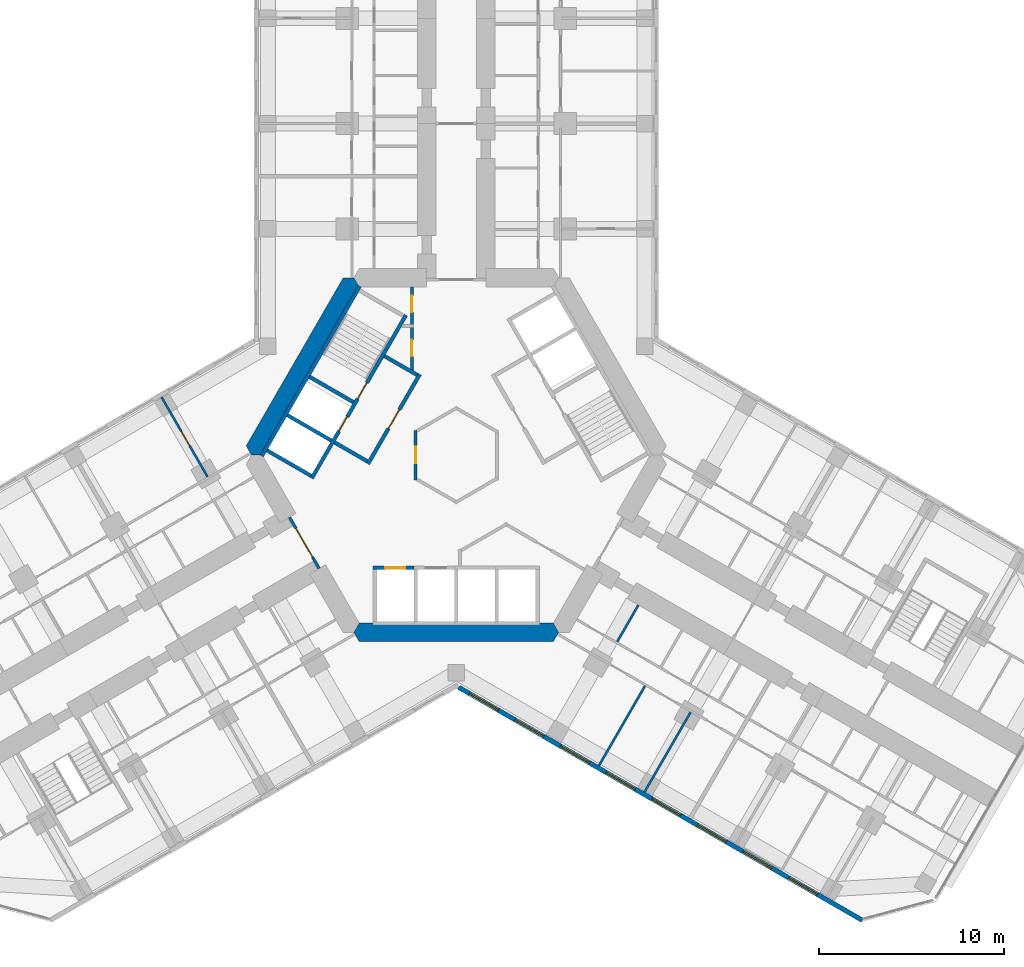
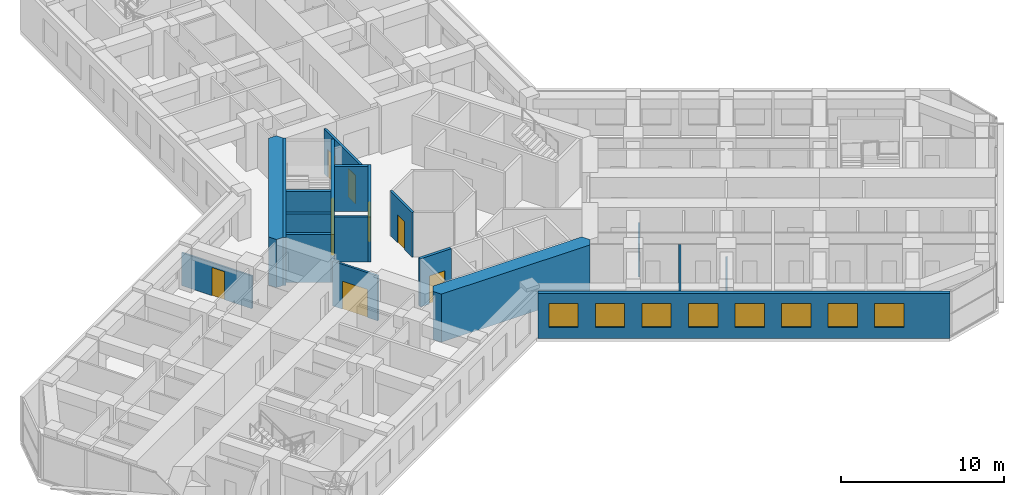
# One storey, part 13 of 21: 19 walls, 9 doors, 8 windows, 17 openings.
"""IFC4 building model written with IfcOpenShell, lengths in metres."""

import ifcopenshell
import ifcopenshell.guid

model = None  # the IFC model being written
_history = None  # IfcOwnerHistory: only IFC2X3 demands one
_inside = {}  # id of a spatial element -> (the spatial element, [elements in it])
_under = {}  # id of a project, library or spatial element -> (it, [spatial elements below it])
_declared = {}  # id of a project -> (the project, [libraries it declares])
_typed = {}  # id of a type object -> (the type object, [elements of that type])
_made_of = {}  # id of a material, layer set ... -> (it, [elements and type objects made of it])


def new_model(schema):
    """Start an empty IFC model of exactly this schema.

    Asked for "IFC4X3", IfcOpenShell would pick the latest addendum, in which some entities
    have other attributes; the version numbers below select the first issue.
    IFC2X3 requires an IfcOwnerHistory on every rooted entity: one is made here for all.
    """
    global model, _history
    if schema == "IFC4X3":
        model = ifcopenshell.file(schema_version=(4, 3, 0, 0))
    else:
        model = ifcopenshell.file(schema=schema)
    _inside.clear()
    _under.clear()
    _declared.clear()
    _typed.clear()
    _made_of.clear()
    _history = None
    if model.schema == "IFC2X3":
        org = make("IfcOrganization", Name="unknown")
        user = make(
            "IfcPersonAndOrganization",
            ThePerson=make("IfcPerson", FamilyName="unknown"),
            TheOrganization=org,
        )
        app = make(
            "IfcApplication",
            ApplicationDeveloper=org,
            Version="unknown",
            ApplicationFullName="unknown",
            ApplicationIdentifier="unknown",
        )
        _history = make(
            "IfcOwnerHistory",
            OwningUser=user,
            OwningApplication=app,
            ChangeAction="ADDED",
            CreationDate=0,
        )
    return model


def make(cls, **values):
    """One entity of the class cls with the attributes given. An attribute that is None is left unset."""
    return model.create_entity(
        cls, **{name: value for name, value in values.items() if value is not None}
    )


def rooted(cls, **values):
    """An entity with a GlobalId (a new one), such as an element, a storey or a relation."""
    return make(cls, GlobalId=ifcopenshell.guid.new(), OwnerHistory=_history, **values)


def si_unit(unit_type, name, prefix=None):
    """IfcSIUnit, for example si_unit("LENGTHUNIT", "METRE", prefix="MILLI")."""
    return make("IfcSIUnit", UnitType=unit_type, Prefix=prefix, Name=name)


def assignment(units):
    """IfcUnitAssignment: the units of a project."""
    return None if units is None else make("IfcUnitAssignment", Units=units)


def point(xyz):
    """IfcCartesianPoint."""
    return None if xyz is None else make("IfcCartesianPoint", Coordinates=xyz)


def direction(xyz):
    """IfcDirection."""
    return None if xyz is None else make("IfcDirection", DirectionRatios=xyz)


def frame(location, z_axis=None, x_axis=None):
    """IfcAxis2Placement3D, a coordinate frame: its origin and axes. An axis left out is left unset."""
    return make(
        "IfcAxis2Placement3D",
        Location=point(location),
        Axis=direction(z_axis),
        RefDirection=direction(x_axis),
    )


def frame_2d(location, x_axis=None):
    """IfcAxis2Placement2D, a coordinate frame in the plane: its origin and x axis."""
    return make(
        "IfcAxis2Placement2D", Location=point(location), RefDirection=direction(x_axis)
    )


def origin():
    """The frame at (0, 0, 0) with its axes left unset."""
    return frame((0.0, 0.0, 0.0))


def place(relative_to, where):
    """IfcLocalPlacement: puts the frame where relative to a parent placement (None: the world)."""
    return make(
        "IfcLocalPlacement", PlacementRelTo=relative_to, RelativePlacement=where
    )


def context(
    kind, dimensions, precision=None, world=None, true_north=None, identifier=None
):
    """IfcGeometricRepresentationContext, for example the 3D "Model" context."""
    return make(
        "IfcGeometricRepresentationContext",
        ContextIdentifier=identifier,
        ContextType=kind,
        CoordinateSpaceDimension=dimensions,
        Precision=precision,
        WorldCoordinateSystem=world,
        TrueNorth=true_north,
    )


def subcontext(parent, identifier, kind, view, scale=None):
    """IfcGeometricRepresentationSubContext, for example "Body" below "Model"."""
    return make(
        "IfcGeometricRepresentationSubContext",
        ContextIdentifier=identifier,
        ContextType=kind,
        ParentContext=parent,
        TargetScale=scale,
        TargetView=view,
    )


def project(units=None, contexts=None):
    """IfcProject with its units and contexts."""
    return rooted(
        "IfcProject",
        Name="project",
        RepresentationContexts=contexts,
        UnitsInContext=assignment(units),
    )


def spatial(cls, under=None, at=None, **own):
    """A site, building, storey or space (cls), placed at a placement, below another one or the project."""
    s = rooted(cls, ObjectPlacement=at, **own)
    if under is not None:
        _under.setdefault(under.id(), (under, []))[1].append(s)
    return s


def polyline(points):
    """IfcPolyline through the points."""
    return make("IfcPolyline", Points=[point(p) for p in points])


def profile(cls, at=None, kind="AREA", **sizes):
    """A parametric profile (cls). Its sizes go by their IFC names, for example OverallWidth=200.0."""
    return make(cls, ProfileType=kind, Position=at, **sizes)


def rectangle(**sizes):
    """IfcRectangleProfileDef."""
    return profile("IfcRectangleProfileDef", **sizes)


def outline(outer, holes=None, kind="AREA"):
    """IfcArbitraryClosedProfileDef: a profile drawn as a closed curve; with holes, ...WithVoids."""
    if holes is None:
        return make("IfcArbitraryClosedProfileDef", ProfileType=kind, OuterCurve=outer)
    return make(
        "IfcArbitraryProfileDefWithVoids",
        ProfileType=kind,
        OuterCurve=outer,
        InnerCurves=holes,
    )


def extrude(swept, where, along, depth):
    """IfcExtrudedAreaSolid: the profile swept, set in the frame where, extruded along a direction by depth."""
    return make(
        "IfcExtrudedAreaSolid",
        SweptArea=swept,
        Position=where,
        ExtrudedDirection=direction(along),
        Depth=depth,
    )


def shape(context_of_items, identifier, shape_type, items):
    """IfcShapeRepresentation: the items that make up one representation, for example the "Body"."""
    return make(
        "IfcShapeRepresentation",
        ContextOfItems=context_of_items,
        RepresentationIdentifier=identifier,
        RepresentationType=shape_type,
        Items=items,
    )


def material(Name=None, Category=None):
    """IfcMaterial."""
    return make("IfcMaterial", Name=Name, Category=Category)


def layer(
    of_material, thickness, ventilated=None, Name=None, Category=None, Priority=None
):
    """IfcMaterialLayer: one layer of a wall or slab, of a material (None: an air gap)."""
    return make(
        "IfcMaterialLayer",
        Material=of_material,
        LayerThickness=thickness,
        IsVentilated=ventilated,
        Name=Name,
        Category=Category,
        Priority=Priority,
    )


def layer_set(layers, Name=None):
    """IfcMaterialLayerSet."""
    return make("IfcMaterialLayerSet", MaterialLayers=layers, LayerSetName=Name)


def made_of(thing, what):
    """Note that an element or type object is made of a material, layer set ...; save() writes the relation."""
    if what is not None:
        _made_of.setdefault(what.id(), (what, []))[1].append(thing)
    return thing


def type_object(cls, material=None, **own):
    """A type object (cls), such as IfcWallType, which elements share."""
    return made_of(rooted(cls, **own), material)


def element(
    cls,
    number,
    at=None,
    inside=None,
    cuts=None,
    type_object=None,
    material=None,
    context=None,
    identifier="Body",
    shape_type=None,
    held_by="IfcProductDefinitionShape",
    body=None,
    shapes=None,
    **own,
):
    """One element of the class cls, such as IfcWall. Its Tag is "e" and its number.

    at: its placement. inside: the storey or other place that contains it. cuts: it is an
    opening in that element (IfcRelVoidsElement). A single representation is given by context,
    identifier, shape_type and body (its items); several are given by shapes. held_by: the class
    of the entity that holds the representations. save() writes the other relations.
    """
    e = rooted(cls, Tag="e%d" % number, ObjectPlacement=at, **own)
    if body is not None:
        shapes = [shape(context, identifier, shape_type, body)]
    if shapes is not None:
        e.Representation = make(held_by, Representations=shapes)
    if inside is not None:
        _inside.setdefault(inside.id(), (inside, []))[1].append(e)
    if cuts is not None:
        rooted(
            "IfcRelVoidsElement", RelatingBuildingElement=cuts, RelatedOpeningElement=e
        )
    if type_object is not None:
        _typed.setdefault(type_object.id(), (type_object, []))[1].append(e)
    return made_of(e, material)


def fill(opening, filler):
    """IfcRelFillsElement: the door or window that sits in an opening."""
    return rooted(
        "IfcRelFillsElement",
        RelatingOpeningElement=opening,
        RelatedBuildingElement=filler,
    )


def aggregate(whole, parts):
    """IfcRelAggregates: a whole, such as a stair, and the parts it consists of."""
    return rooted("IfcRelAggregates", RelatingObject=whole, RelatedObjects=parts)


def save(model, path):
    """Write the relations noted so far, then the file.

    IfcRelAggregates (storeys below a building ...), IfcRelContainedInSpatialStructure (elements
    in a storey), IfcRelDefinesByType, IfcRelAssociatesMaterial and IfcRelDeclares: one each for
    every whole, place, type object, material and project.
    """
    for whole, parts in _under.values():
        aggregate(whole, parts)
    for where, things in _inside.values():
        rooted(
            "IfcRelContainedInSpatialStructure",
            RelatedElements=things,
            RelatingStructure=where,
        )
    for kind, things in _typed.values():
        rooted("IfcRelDefinesByType", RelatedObjects=things, RelatingType=kind)
    for what, things in _made_of.values():
        rooted("IfcRelAssociatesMaterial", RelatedObjects=things, RelatingMaterial=what)
    for by, libraries in _declared.values():
        rooted("IfcRelDeclares", RelatingContext=by, RelatedDefinitions=libraries)
    model.write(path)


model = new_model("IFC4")

# Units and contexts
model_context = context("Model", 3, precision=1e-05, world=origin(), true_north=direction((0.0, 1.0)))
body_context = subcontext(model_context, "Body", "Model", "MODEL_VIEW")
ifc_project = project(units=[si_unit("LENGTHUNIT", "METRE"), si_unit("AREAUNIT", "SQUARE_METRE"), si_unit("VOLUMEUNIT", "CUBIC_METRE"), si_unit("PLANEANGLEUNIT", "RADIAN"), si_unit("MASSUNIT", "GRAM", prefix="KILO")], contexts=[model_context])

# Site, building, storey
site_placement = place(None, origin())
site = spatial("IfcSite", under=ifc_project, at=site_placement, CompositionType="ELEMENT")
building_placement = place(site_placement, origin())
building = spatial("IfcBuilding", under=site, at=building_placement, Name="Kosmar Iwan School Tower", CompositionType="ELEMENT")
storey_placement = place(building_placement, frame((0.0, 0.0, 98.800048828125)))
storey = spatial("IfcBuildingStorey", under=building, at=storey_placement, Name="L24", CompositionType="ELEMENT", Elevation=98.800048828125)

# Wall, openings, doors
ifc_material_1 = material(Name="Gypsum board on steel studs, fire-rated", Category="steel")
ifc_layer_1 = layer(ifc_material_1, 0.14990234375)
ifc_layer_set_1 = layer_set([ifc_layer_1], Name="Core room partition 150")
wall_type_1 = type_object("IfcWallType", Name="Core room partition 150", PredefinedType="PARTITIONING", material=ifc_layer_set_1)
wall_1_placement = place(storey_placement, frame((-2.39990234375, 9.094970703125, 0.0), z_axis=(0.0, 0.0, 1.0), x_axis=(0.0, -1.0, 0.0)))
wall_1 = element("IfcWall", 1, at=wall_1_placement, inside=storey, type_object=wall_type_1, Name="Core room partition L24-CW1", PredefinedType="PARTITIONING", context=body_context, shape_type="SweptSolid", body=[
    extrude(rectangle(XDim=4.564208984375, YDim=0.14990234375, at=frame_2d((2.2822265625, 0.0))), origin(), (0.0, 0.0, 1.0), 3.349853515625),
])
opening_1_placement = place(wall_1_placement, frame((0.455078125, 0.0, 0.0)))
opening_1 = element("IfcOpeningElement", 2, at=opening_1_placement, cuts=wall_1, Name="Opening D14", PredefinedType="OPENING", context=body_context, shape_type="SweptSolid", body=[
    extrude(rectangle(XDim=0.89990234375, YDim=2.10009765625, at=frame_2d((0.449951171875, 1.050048828125))), frame((0.0, 0.0869140625, 0.0), z_axis=(0.0, -1.0, 0.0), x_axis=(1.0, 0.0, 0.0)), (0.0, 0.0, 1.0), 0.173828125),
])
opening_2_placement = place(wall_1_placement, frame((2.85498046875, 0.0, 0.0)))
opening_2 = element("IfcOpeningElement", 3, at=opening_2_placement, cuts=wall_1, Name="Opening D14", PredefinedType="OPENING", context=body_context, shape_type="SweptSolid", body=[
    extrude(rectangle(XDim=0.89990234375, YDim=2.10009765625, at=frame_2d((0.449951171875, 1.050048828125))), frame((0.0, 0.0869140625, 0.0), z_axis=(0.0, -1.0, 0.0), x_axis=(1.0, 0.0, 0.0)), (0.0, 0.0, 1.0), 0.173828125),
])
ifc_material_2 = material(Name="Timber fire door in steel frame", Category="steel")
door_type_1 = type_object("IfcDoorType", Name="Core room door 900x2100", OperationType="SINGLE_SWING_LEFT", PredefinedType="DOOR", material=ifc_material_2)
door_1_placement = place(opening_1_placement, origin())
door_1 = element("IfcDoor", 4, at=door_1_placement, inside=storey, type_object=door_type_1, Name="Electrical riser and switch room door L24 1", OperationType="SINGLE_SWING_LEFT", OverallHeight=2.10009765625, OverallWidth=0.89990234375, PredefinedType="DOOR", context=body_context, shape_type="SweptSolid", body=[
    extrude(rectangle(XDim=0.89990234375, YDim=2.10009765625, at=frame_2d((0.449951171875, 1.050048828125))), frame((0.0, 0.02490234375, 0.0), z_axis=(0.0, -1.0, 0.0), x_axis=(1.0, 0.0, 0.0)), (0.0, 0.0, 1.0), 0.050048828125),
])
fill(opening_1, door_1)
door_2_placement = place(opening_2_placement, origin())
door_2 = element("IfcDoor", 5, at=door_2_placement, inside=storey, type_object=door_type_1, Name="Plumbing and wet riser door L24 2", OperationType="SINGLE_SWING_RIGHT", OverallHeight=2.10009765625, OverallWidth=0.89990234375, PredefinedType="DOOR", context=body_context, shape_type="SweptSolid", body=[
    extrude(rectangle(XDim=0.89990234375, YDim=2.10009765625, at=frame_2d((0.449951171875, 1.050048828125))), frame((0.0, 0.02490234375, 0.0), z_axis=(0.0, -1.0, 0.0), x_axis=(1.0, 0.0, 0.0)), (0.0, 0.0, 1.0), 0.050048828125),
])
fill(opening_2, door_2)

# Wall, opening, door
wall_2_placement = place(storey_placement, frame((-2.199951171875, -1.34521484375, 0.0), z_axis=(0.0, 0.0, 1.0), x_axis=(0.0, 1.0, 0.0)))
wall_2 = element("IfcWall", 6, at=wall_2_placement, inside=storey, type_object=wall_type_1, Name="Core room partition L24-CW6", PredefinedType="PARTITIONING", context=body_context, shape_type="SweptSolid", body=[
    extrude(rectangle(XDim=2.6904296875, YDim=0.14990234375, at=frame_2d((1.34521484375, 0.0))), origin(), (0.0, 0.0, 1.0), 3.349853515625),
])
opening_3_placement = place(wall_2_placement, frame((0.89501953125, 0.0, 0.0)))
opening_3 = element("IfcOpeningElement", 7, at=opening_3_placement, cuts=wall_2, Name="Opening D14", PredefinedType="OPENING", context=body_context, shape_type="SweptSolid", body=[
    extrude(rectangle(XDim=0.89990234375, YDim=2.10009765625, at=frame_2d((0.449951171875, 1.050048828125))), frame((0.0, 0.0869140625, 0.0), z_axis=(0.0, -1.0, 0.0), x_axis=(1.0, 0.0, 0.0)), (0.0, 0.0, 1.0), 0.173828125),
])
door_3_placement = place(opening_3_placement, origin())
door_3 = element("IfcDoor", 8, at=door_3_placement, inside=storey, type_object=door_type_1, Name="Communications room door L24 3", OperationType="SINGLE_SWING_LEFT", OverallHeight=2.10009765625, OverallWidth=0.89990234375, PredefinedType="DOOR", context=body_context, shape_type="SweptSolid", body=[
    extrude(rectangle(XDim=0.89990234375, YDim=2.10009765625, at=frame_2d((0.449951171875, 1.050048828125))), frame((0.0, 0.02490234375, 0.0), z_axis=(0.0, -1.0, 0.0), x_axis=(1.0, 0.0, 0.0)), (0.0, 0.0, 1.0), 0.050048828125),
])
fill(opening_3, door_3)

# Walls
ifc_material_3 = material(Name="Concrete C50/60", Category="concrete")
ifc_layer_2 = layer(ifc_material_3, 1.0)
ifc_layer_set_2 = layer_set([ifc_layer_2], Name="Core wall 1000")
wall_type_2 = type_object("IfcWallType", Name="Core wall 1000", PredefinedType="SHEAR", material=ifc_layer_set_2)
wall_3_placement = place(storey_placement, origin())
element("IfcWall", 9, at=wall_3_placement, inside=storey, type_object=wall_type_2, Name="Core wall F150", PredefinedType="SHEAR", context=body_context, shape_type="SweptSolid", body=[
    extrude(outline(polyline([(-11.085205078125, 0.0), (-10.5078125, 0.0), (-5.25390625, 9.10009765625), (-5.54248046875, 9.60009765625), (-6.119873046875, 9.60009765625), (-11.373779296875, 0.5), (-11.085205078125, 0.0)])), origin(), (0.0, 0.0, 1.0), 3.599853515625),
])
wall_4_placement = place(storey_placement, origin())
element("IfcWall", 10, at=wall_4_placement, inside=storey, type_object=wall_type_2, Name="Core wall F270", PredefinedType="SHEAR", context=body_context, shape_type="SweptSolid", body=[
    extrude(outline(polyline([(-5.25390625, -10.10009765625), (5.25390625, -10.10009765625), (5.54248046875, -9.60009765625), (5.25390625, -9.10009765625), (-5.25390625, -9.10009765625), (-5.54248046875, -9.60009765625), (-5.25390625, -10.10009765625)])), origin(), (0.0, 0.0, 1.0), 3.599853515625),
])

# Wall, opening, door
ifc_material_4 = material(Name="Steel framed glazed screen", Category="steel")
ifc_layer_3 = layer(ifc_material_4, 0.14990234375)
ifc_layer_set_3 = layer_set([ifc_layer_3], Name="Corridor screen wall 150")
wall_type_3 = type_object("IfcWallType", Name="Corridor screen wall 150", PredefinedType="PARTITIONING", material=ifc_layer_set_3)
wall_5_placement = place(storey_placement, frame((-9.02734375, -3.3642578125, 0.0), z_axis=(0.0, 0.0, 1.0), x_axis=(0.499995408039, -0.866028054938, 0.0)))
wall_5 = element("IfcWall", 11, at=wall_5_placement, inside=storey, type_object=wall_type_3, Name="Corridor screen B L24", PredefinedType="PARTITIONING", context=body_context, shape_type="SweptSolid", body=[
    extrude(rectangle(XDim=3.2001953125, YDim=0.14990234375, at=frame_2d((1.60009765625, 0.0))), origin(), (0.0, 0.0, 1.0), 3.349853515625),
])
opening_4_placement = place(wall_5_placement, frame((0.699951171875, 0.0, 0.0)))
opening_4 = element("IfcOpeningElement", 12, at=opening_4_placement, cuts=wall_5, Name="Opening D9", PredefinedType="OPENING", context=body_context, shape_type="SweptSolid", body=[
    extrude(rectangle(XDim=1.800048828125, YDim=2.10009765625, at=frame_2d((0.89990234375, 1.050048828125))), frame((0.0, 0.0869140625, 0.0), z_axis=(0.0, -1.0, 0.0), x_axis=(1.0, 0.0, 0.0)), (0.0, 0.0, 1.0), 0.173828125),
])
ifc_material_5 = material(Name="Steel framed glazed smoke door", Category="steel")
door_type_2 = type_object("IfcDoorType", Name="Corridor smoke door pair 1800x2100", OperationType="DOUBLE_DOOR_DOUBLE_SWING", PredefinedType="DOOR", material=ifc_material_5)
door_4_placement = place(opening_4_placement, origin())
door_4 = element("IfcDoor", 13, at=door_4_placement, inside=storey, type_object=door_type_2, Name="Corridor doors B L24", OperationType="DOUBLE_DOOR_DOUBLE_SWING", OverallHeight=2.10009765625, OverallWidth=1.800048828125, PredefinedType="DOOR", context=body_context, shape_type="SweptSolid", body=[
    extrude(rectangle(XDim=1.800048828125, YDim=2.10009765625, at=frame_2d((0.89990234375, 1.050048828125))), frame((0.0, 0.02490234375, 0.0), z_axis=(0.0, -1.0, 0.0), x_axis=(1.0, 0.0, 0.0)), (0.0, 0.0, 1.0), 0.050048828125),
])
fill(opening_4, door_4)

ifc_material_6 = material(Name="Gypsum board on steel studs", Category="steel")
ifc_layer_4 = layer(ifc_material_6, 0.1201171875)
ifc_layer_set_4 = layer_set([ifc_layer_4], Name="Dwelling partition 120")
wall_type_4 = type_object("IfcWallType", Name="Dwelling partition 120", PredefinedType="PARTITIONING", material=ifc_layer_set_4)
wall_6_placement = place(storey_placement, frame((-13.4638671875, -1.179931640625, 0.0), z_axis=(0.0, 0.0, 1.0), x_axis=(-0.499975153383, 0.86603974851, 0.0)))
wall_6 = element("IfcWall", 14, at=wall_6_placement, inside=storey, type_object=wall_type_4, Name="Partition L24-BR1-X1", PredefinedType="PARTITIONING", context=body_context, shape_type="SweptSolid", body=[
    extrude(rectangle(XDim=4.989990234375, YDim=0.1201171875, at=frame_2d((2.4951171875, 0.0))), origin(), (0.0, 0.0, 1.0), 2.449951171875),
])
opening_5_placement = place(wall_6_placement, frame((1.93994140625, 0.0, 0.0)))
opening_5 = element("IfcOpeningElement", 15, at=opening_5_placement, cuts=wall_6, Name="Opening D2", PredefinedType="OPENING", context=body_context, shape_type="SweptSolid", body=[
    extrude(rectangle(XDim=0.89990234375, YDim=2.10009765625, at=frame_2d((0.449951171875, 1.050048828125))), frame((0.0, 0.072021484375, 0.0), z_axis=(0.0, -1.0, 0.0), x_axis=(1.0, 0.0, 0.0)), (0.0, 0.0, 1.0), 0.14404296875),
])
ifc_material_7 = material(Name="Timber door in timber frame", Category="wood")
door_type_3 = type_object("IfcDoorType", Name="Internal door 900x2100", OperationType="SINGLE_SWING_LEFT", PredefinedType="DOOR", material=ifc_material_7)
door_5_placement = place(opening_5_placement, origin())
door_5 = element("IfcDoor", 16, at=door_5_placement, inside=storey, type_object=door_type_3, Name="Kitchen and dining room door L24-BR1-F1", OperationType="SINGLE_SWING_LEFT", OverallHeight=2.10009765625, OverallWidth=0.89990234375, PredefinedType="DOOR", context=body_context, shape_type="SweptSolid", body=[
    extrude(rectangle(XDim=0.89990234375, YDim=2.10009765625, at=frame_2d((0.449951171875, 1.050048828125))), frame((0.0, 0.02490234375, 0.0), z_axis=(0.0, -1.0, 0.0), x_axis=(1.0, 0.0, 0.0)), (0.0, 0.0, 1.0), 0.050048828125),
])
fill(opening_5, door_5)

# Walls
wall_7_placement = place(storey_placement, frame((10.221923828125, -12.4951171875, 0.0), z_axis=(0.0, 0.0, 1.0), x_axis=(-0.499996339024, -0.86602751744, 0.0)))
element("IfcWall", 17, at=wall_7_placement, inside=storey, type_object=wall_type_4, Name="Partition L24-CR1-X1", PredefinedType="PARTITIONING", context=body_context, shape_type="SweptSolid", body=[
    extrude(rectangle(XDim=4.98974609375, YDim=0.1201171875, at=frame_2d((2.494873046875, 0.0))), origin(), (0.0, 0.0, 1.0), 3.349853515625),
])
wall_8_placement = place(storey_placement, frame((12.690185546875, -13.919921875, 0.0), z_axis=(0.0, 0.0, 1.0), x_axis=(-0.500011847778, -0.866018563358, 0.0)))
element("IfcWall", 18, at=wall_8_placement, inside=storey, type_object=wall_type_4, Name="Partition L24-CR1-X2", PredefinedType="PARTITIONING", context=body_context, shape_type="SweptSolid", body=[
    extrude(rectangle(XDim=4.990234375, YDim=0.1201171875, at=frame_2d((2.4951171875, 0.0))), origin(), (0.0, 0.0, 1.0), 2.449951171875),
])
wall_9_placement = place(storey_placement, frame((9.86181640625, -8.11865234375, 0.0), z_axis=(0.0, 0.0, 1.0), x_axis=(-0.500014693593, -0.866016920268, 0.0)))
element("IfcWall", 19, at=wall_9_placement, inside=storey, type_object=wall_type_4, Name="Partition L24-CR1-Y1", PredefinedType="PARTITIONING", context=body_context, shape_type="SweptSolid", body=[
    extrude(rectangle(XDim=2.2900390625, YDim=0.1201171875, at=frame_2d((1.14501953125, 0.0))), origin(), (0.0, 0.0, 1.0), 2.449951171875),
])

# Wall, openings, windows
ifc_material_8 = material(Name="Black aluminium rainscreen on insulated framing", Category="aluminium")
ifc_layer_5 = layer(ifc_material_8, 0.25)
ifc_layer_set_5 = layer_set([ifc_layer_5], Name="External wall rainscreen 250")
wall_type_5 = type_object("IfcWallType", Name="External wall rainscreen 250", PredefinedType="SOLIDWALL", material=ifc_layer_set_5)
wall_10_placement = place(storey_placement, frame((0.137939453125, -12.5791015625, 0.0), z_axis=(0.0, 0.0, 1.0), x_axis=(0.866023775649, -0.500002820003, 0.0)))
wall_10 = element("IfcWall", 20, at=wall_10_placement, inside=storey, type_object=wall_type_5, Name="External wall CR L24", PredefinedType="SOLIDWALL", context=body_context, shape_type="SweptSolid", body=[
    extrude(rectangle(XDim=25.226318359375, YDim=0.25, at=frame_2d((12.61328125, 0.0))), origin(), (0.0, 0.0, 1.0), 3.349853515625),
])
opening_6_placement = place(wall_10_placement, frame((0.666015625, 0.0, 0.800048828125)))
opening_6 = element("IfcOpeningElement", 21, at=opening_6_placement, cuts=wall_10, Name="Opening W1", PredefinedType="OPENING", context=body_context, shape_type="SweptSolid", body=[
    extrude(rectangle(XDim=1.800048828125, YDim=1.800048828125, at=frame_2d((0.89990234375, 0.89990234375))), frame((0.0, 0.136962890625, 0.0), z_axis=(0.0, -1.0, 0.0), x_axis=(1.0, 0.0, 0.0)), (0.0, 0.0, 1.0), 0.27392578125),
])
opening_7_placement = place(wall_10_placement, frame((3.51611328125, 0.0, 0.800048828125)))
opening_7 = element("IfcOpeningElement", 22, at=opening_7_placement, cuts=wall_10, Name="Opening W1", PredefinedType="OPENING", context=body_context, shape_type="SweptSolid", body=[
    extrude(rectangle(XDim=1.800048828125, YDim=1.800048828125, at=frame_2d((0.89990234375, 0.89990234375))), frame((0.0, 0.136962890625, 0.0), z_axis=(0.0, -1.0, 0.0), x_axis=(1.0, 0.0, 0.0)), (0.0, 0.0, 1.0), 0.27392578125),
])
opening_8_placement = place(wall_10_placement, frame((6.365966796875, 0.0, 0.800048828125)))
opening_8 = element("IfcOpeningElement", 23, at=opening_8_placement, cuts=wall_10, Name="Opening W1", PredefinedType="OPENING", context=body_context, shape_type="SweptSolid", body=[
    extrude(rectangle(XDim=1.800048828125, YDim=1.800048828125, at=frame_2d((0.89990234375, 0.89990234375))), frame((0.0, 0.136962890625, 0.0), z_axis=(0.0, -1.0, 0.0), x_axis=(1.0, 0.0, 0.0)), (0.0, 0.0, 1.0), 0.27392578125),
])
opening_9_placement = place(wall_10_placement, frame((9.216064453125, 0.0, 0.800048828125)))
opening_9 = element("IfcOpeningElement", 24, at=opening_9_placement, cuts=wall_10, Name="Opening W1", PredefinedType="OPENING", context=body_context, shape_type="SweptSolid", body=[
    extrude(rectangle(XDim=1.800048828125, YDim=1.800048828125, at=frame_2d((0.89990234375, 0.89990234375))), frame((0.0, 0.136962890625, 0.0), z_axis=(0.0, -1.0, 0.0), x_axis=(1.0, 0.0, 0.0)), (0.0, 0.0, 1.0), 0.27392578125),
])
opening_10_placement = place(wall_10_placement, frame((12.06591796875, 0.0, 0.800048828125)))
opening_10 = element("IfcOpeningElement", 25, at=opening_10_placement, cuts=wall_10, Name="Opening W1", PredefinedType="OPENING", context=body_context, shape_type="SweptSolid", body=[
    extrude(rectangle(XDim=1.800048828125, YDim=1.800048828125, at=frame_2d((0.89990234375, 0.89990234375))), frame((0.0, 0.136962890625, 0.0), z_axis=(0.0, -1.0, 0.0), x_axis=(1.0, 0.0, 0.0)), (0.0, 0.0, 1.0), 0.27392578125),
])
opening_11_placement = place(wall_10_placement, frame((14.916015625, 0.0, 0.800048828125)))
opening_11 = element("IfcOpeningElement", 26, at=opening_11_placement, cuts=wall_10, Name="Opening W1", PredefinedType="OPENING", context=body_context, shape_type="SweptSolid", body=[
    extrude(rectangle(XDim=1.800048828125, YDim=1.800048828125, at=frame_2d((0.89990234375, 0.89990234375))), frame((0.0, 0.136962890625, 0.0), z_axis=(0.0, -1.0, 0.0), x_axis=(1.0, 0.0, 0.0)), (0.0, 0.0, 1.0), 0.27392578125),
])
opening_12_placement = place(wall_10_placement, frame((17.76611328125, 0.0, 0.800048828125)))
opening_12 = element("IfcOpeningElement", 27, at=opening_12_placement, cuts=wall_10, Name="Opening W1", PredefinedType="OPENING", context=body_context, shape_type="SweptSolid", body=[
    extrude(rectangle(XDim=1.800048828125, YDim=1.800048828125, at=frame_2d((0.89990234375, 0.89990234375))), frame((0.0, 0.136962890625, 0.0), z_axis=(0.0, -1.0, 0.0), x_axis=(1.0, 0.0, 0.0)), (0.0, 0.0, 1.0), 0.27392578125),
])
opening_13_placement = place(wall_10_placement, frame((20.615966796875, 0.0, 0.800048828125)))
opening_13 = element("IfcOpeningElement", 28, at=opening_13_placement, cuts=wall_10, Name="Opening W1", PredefinedType="OPENING", context=body_context, shape_type="SweptSolid", body=[
    extrude(rectangle(XDim=1.800048828125, YDim=1.800048828125, at=frame_2d((0.89990234375, 0.89990234375))), frame((0.0, 0.136962890625, 0.0), z_axis=(0.0, -1.0, 0.0), x_axis=(1.0, 0.0, 0.0)), (0.0, 0.0, 1.0), 0.27392578125),
])
ifc_material_9 = material(Name="Black aluminium frame with dark triple glazing", Category="aluminium")
window_type = type_object("IfcWindowType", Name="Window 1800x1800", PartitioningType="SINGLE_PANEL", PredefinedType="WINDOW", material=ifc_material_9)
window_1_placement = place(opening_6_placement, origin())
window_1 = element("IfcWindow", 29, at=window_1_placement, inside=storey, type_object=window_type, Name="Window CR L24 -1", OverallHeight=1.800048828125, OverallWidth=1.800048828125, PartitioningType="SINGLE_PANEL", PredefinedType="WINDOW", context=body_context, shape_type="SweptSolid", body=[
    extrude(rectangle(XDim=1.800048828125, YDim=1.800048828125, at=frame_2d((0.89990234375, 0.89990234375))), frame((0.0, 0.030029296875, 0.0), z_axis=(0.0, -1.0, 0.0), x_axis=(1.0, 0.0, 0.0)), (0.0, 0.0, 1.0), 0.06005859375),
])
fill(opening_6, window_1)
window_2_placement = place(opening_7_placement, origin())
window_2 = element("IfcWindow", 30, at=window_2_placement, inside=storey, type_object=window_type, Name="Window CR L24 0", OverallHeight=1.800048828125, OverallWidth=1.800048828125, PartitioningType="SINGLE_PANEL", PredefinedType="WINDOW", context=body_context, shape_type="SweptSolid", body=[
    extrude(rectangle(XDim=1.800048828125, YDim=1.800048828125, at=frame_2d((0.89990234375, 0.89990234375))), frame((0.0, 0.030029296875, 0.0), z_axis=(0.0, -1.0, 0.0), x_axis=(1.0, 0.0, 0.0)), (0.0, 0.0, 1.0), 0.06005859375),
])
fill(opening_7, window_2)
window_3_placement = place(opening_8_placement, origin())
window_3 = element("IfcWindow", 31, at=window_3_placement, inside=storey, type_object=window_type, Name="Window CR L24 1", OverallHeight=1.800048828125, OverallWidth=1.800048828125, PartitioningType="SINGLE_PANEL", PredefinedType="WINDOW", context=body_context, shape_type="SweptSolid", body=[
    extrude(rectangle(XDim=1.800048828125, YDim=1.800048828125, at=frame_2d((0.89990234375, 0.89990234375))), frame((0.0, 0.030029296875, 0.0), z_axis=(0.0, -1.0, 0.0), x_axis=(1.0, 0.0, 0.0)), (0.0, 0.0, 1.0), 0.06005859375),
])
fill(opening_8, window_3)
window_4_placement = place(opening_9_placement, origin())
window_4 = element("IfcWindow", 32, at=window_4_placement, inside=storey, type_object=window_type, Name="Window CR L24 2", OverallHeight=1.800048828125, OverallWidth=1.800048828125, PartitioningType="SINGLE_PANEL", PredefinedType="WINDOW", context=body_context, shape_type="SweptSolid", body=[
    extrude(rectangle(XDim=1.800048828125, YDim=1.800048828125, at=frame_2d((0.89990234375, 0.89990234375))), frame((0.0, 0.030029296875, 0.0), z_axis=(0.0, -1.0, 0.0), x_axis=(1.0, 0.0, 0.0)), (0.0, 0.0, 1.0), 0.06005859375),
])
fill(opening_9, window_4)
window_5_placement = place(opening_10_placement, origin())
window_5 = element("IfcWindow", 33, at=window_5_placement, inside=storey, type_object=window_type, Name="Window CR L24 3", OverallHeight=1.800048828125, OverallWidth=1.800048828125, PartitioningType="SINGLE_PANEL", PredefinedType="WINDOW", context=body_context, shape_type="SweptSolid", body=[
    extrude(rectangle(XDim=1.800048828125, YDim=1.800048828125, at=frame_2d((0.89990234375, 0.89990234375))), frame((0.0, 0.030029296875, 0.0), z_axis=(0.0, -1.0, 0.0), x_axis=(1.0, 0.0, 0.0)), (0.0, 0.0, 1.0), 0.06005859375),
])
fill(opening_10, window_5)
window_6_placement = place(opening_11_placement, origin())
window_6 = element("IfcWindow", 34, at=window_6_placement, inside=storey, type_object=window_type, Name="Window CR L24 4", OverallHeight=1.800048828125, OverallWidth=1.800048828125, PartitioningType="SINGLE_PANEL", PredefinedType="WINDOW", context=body_context, shape_type="SweptSolid", body=[
    extrude(rectangle(XDim=1.800048828125, YDim=1.800048828125, at=frame_2d((0.89990234375, 0.89990234375))), frame((0.0, 0.030029296875, 0.0), z_axis=(0.0, -1.0, 0.0), x_axis=(1.0, 0.0, 0.0)), (0.0, 0.0, 1.0), 0.06005859375),
])
fill(opening_11, window_6)
window_7_placement = place(opening_12_placement, origin())
window_7 = element("IfcWindow", 35, at=window_7_placement, inside=storey, type_object=window_type, Name="Window CR L24 5", OverallHeight=1.800048828125, OverallWidth=1.800048828125, PartitioningType="SINGLE_PANEL", PredefinedType="WINDOW", context=body_context, shape_type="SweptSolid", body=[
    extrude(rectangle(XDim=1.800048828125, YDim=1.800048828125, at=frame_2d((0.89990234375, 0.89990234375))), frame((0.0, 0.030029296875, 0.0), z_axis=(0.0, -1.0, 0.0), x_axis=(1.0, 0.0, 0.0)), (0.0, 0.0, 1.0), 0.06005859375),
])
fill(opening_12, window_7)
window_8_placement = place(opening_13_placement, origin())
window_8 = element("IfcWindow", 36, at=window_8_placement, inside=storey, type_object=window_type, Name="Window CR L24 6", OverallHeight=1.800048828125, OverallWidth=1.800048828125, PartitioningType="SINGLE_PANEL", PredefinedType="WINDOW", context=body_context, shape_type="SweptSolid", body=[
    extrude(rectangle(XDim=1.800048828125, YDim=1.800048828125, at=frame_2d((0.89990234375, 0.89990234375))), frame((0.0, 0.030029296875, 0.0), z_axis=(0.0, -1.0, 0.0), x_axis=(1.0, 0.0, 0.0)), (0.0, 0.0, 1.0), 0.06005859375),
])
fill(opening_13, window_8)

# Wall, opening, door
ifc_material_10 = material(Name="Concrete block masonry", Category="masonry")
ifc_layer_6 = layer(ifc_material_10, 0.199951171875)
ifc_layer_set_6 = layer_set([ifc_layer_6], Name="Fire lobby wall 200")
wall_type_6 = type_object("IfcWallType", Name="Fire lobby wall 200", PredefinedType="PARTITIONING", material=ifc_layer_set_6)
wall_11_placement = place(storey_placement, frame((-1.9775390625, 4.374755859375, 0.0), z_axis=(0.0, 0.0, 1.0), x_axis=(-0.500016814911, -0.866015695474, 0.0)))
wall_11 = element("IfcWall", 37, at=wall_11_placement, inside=storey, type_object=wall_type_6, Name="Firefighting lobby wall ST2", PredefinedType="PARTITIONING", context=body_context, shape_type="SweptSolid", body=[
    extrude(rectangle(XDim=5.599853515625, YDim=0.199951171875, at=frame_2d((2.7998046875, 0.0))), origin(), (0.0, 0.0, 1.0), 3.349853515625),
])
opening_14_placement = place(wall_11_placement, frame((2.199951171875, 0.0, 0.0)))
opening_14 = element("IfcOpeningElement", 38, at=opening_14_placement, cuts=wall_11, Name="Opening D7", PredefinedType="OPENING", context=body_context, shape_type="SweptSolid", body=[
    extrude(rectangle(XDim=1.199951171875, YDim=2.10009765625, at=frame_2d((0.60009765625, 1.050048828125))), frame((0.0, 0.112060546875, 0.0), z_axis=(0.0, -1.0, 0.0), x_axis=(1.0, 0.0, 0.0)), (0.0, 0.0, 1.0), 0.223876953125),
])
ifc_material_11 = material(Name="Steel fire door", Category="steel")
door_type_4 = type_object("IfcDoorType", Name="Fire lobby door 1200x2100", OperationType="SINGLE_SWING_LEFT", PredefinedType="DOOR", material=ifc_material_11)
door_6_placement = place(opening_14_placement, origin())
door_6 = element("IfcDoor", 39, at=door_6_placement, inside=storey, type_object=door_type_4, Name="Firefighting lobby door ST2 L24", OperationType="SINGLE_SWING_RIGHT", OverallHeight=2.10009765625, OverallWidth=1.199951171875, PredefinedType="DOOR", context=body_context, shape_type="SweptSolid", body=[
    extrude(rectangle(XDim=1.199951171875, YDim=2.10009765625, at=frame_2d((0.60009765625, 1.050048828125))), frame((0.0, 0.02490234375, 0.0), z_axis=(0.0, -1.0, 0.0), x_axis=(1.0, 0.0, 0.0)), (0.0, 0.0, 1.0), 0.050048828125),
])
fill(opening_14, door_6)

# Walls
wall_12_placement = place(storey_placement, frame((-2.114013671875, 4.33837890625, 0.0), z_axis=(0.0, 0.0, 1.0), x_axis=(-0.866050731258, 0.499956128963, 0.0)))
element("IfcWall", 40, at=wall_12_placement, inside=storey, type_object=wall_type_6, Name="Firefighting lobby wall ST2", PredefinedType="PARTITIONING", context=body_context, shape_type="SweptSolid", body=[
    extrude(rectangle(XDim=2.050048828125, YDim=0.199951171875, at=frame_2d((1.02490234375, 0.0))), origin(), (0.0, 0.0, 1.0), 3.349853515625),
])
wall_13_placement = place(storey_placement, frame((-4.814208984375, -0.33837890625, 0.0), z_axis=(0.0, 0.0, 1.0), x_axis=(-0.865969381856, 0.500097020274, 0.0)))
element("IfcWall", 41, at=wall_13_placement, inside=storey, type_object=wall_type_6, Name="Firefighting lobby wall ST2", PredefinedType="PARTITIONING", context=body_context, shape_type="SweptSolid", body=[
    extrude(rectangle(XDim=2.0498046875, YDim=0.199951171875, at=frame_2d((1.02490234375, 0.0))), origin(), (0.0, 0.0, 1.0), 3.349853515625),
])

# Wall, openings, doors
ifc_material_12 = material(Name="Concrete C50/60", Category="concrete")
ifc_layer_7 = layer(ifc_material_12, 0.199951171875)
ifc_layer_set_7 = layer_set([ifc_layer_7], Name="Lift shaft wall 200")
wall_type_7 = type_object("IfcWallType", Name="Lift shaft wall 200", PredefinedType="SHEAR", material=ifc_layer_set_7)
wall_14_placement = place(storey_placement, frame((-2.72607421875, 7.578369140625, 0.0), z_axis=(0.0, 0.0, 1.0), x_axis=(-0.500005610874, -0.86602216432, 0.0)))
wall_14 = element("IfcWall", 42, at=wall_14_placement, inside=storey, type_object=wall_type_7, Name="Lift and stair front wall AB", PredefinedType="SHEAR", context=body_context, shape_type="SweptSolid", body=[
    extrude(rectangle(XDim=10.2001953125, YDim=0.199951171875, at=frame_2d((5.10009765625, 0.0))), origin(), (0.0, 0.0, 1.0), 3.599853515625),
])
opening_15_placement = place(wall_14_placement, frame((6.35009765625, 0.0, 0.0)))
opening_15 = element("IfcOpeningElement", 43, at=opening_15_placement, cuts=wall_14, Name="Opening LD2", PredefinedType="OPENING", context=body_context, shape_type="SweptSolid", body=[
    extrude(rectangle(XDim=0.89990234375, YDim=2.10009765625, at=frame_2d((0.449951171875, 1.050048828125))), frame((0.0, 0.112060546875, 0.0), z_axis=(0.0, -1.0, 0.0), x_axis=(1.0, 0.0, 0.0)), (0.0, 0.0, 1.0), 0.223876953125),
])
opening_16_placement = place(wall_14_placement, frame((4.22998046875, 0.0, 0.0)))
opening_16 = element("IfcOpeningElement", 44, at=opening_16_placement, cuts=wall_14, Name="Opening D6", PredefinedType="OPENING", context=body_context, shape_type="SweptSolid", body=[
    extrude(rectangle(XDim=1.0, YDim=2.10009765625, at=frame_2d((0.5, 1.050048828125))), frame((0.0, 0.112060546875, 0.0), z_axis=(0.0, -1.0, 0.0), x_axis=(1.0, 0.0, 0.0)), (0.0, 0.0, 1.0), 0.223876953125),
])
ifc_material_13 = material(Name="Stainless steel sliding lift door", Category="steel")
door_type_5 = type_object("IfcDoorType", Name="Firefighting lift landing door 900x2100", OperationType="SLIDING_TO_LEFT", PredefinedType="DOOR", material=ifc_material_13)
door_7_placement = place(opening_15_placement, origin())
door_7 = element("IfcDoor", 45, at=door_7_placement, inside=storey, type_object=door_type_5, Name="Lift FF2 landing door L24", OperationType="SLIDING_TO_LEFT", OverallHeight=2.10009765625, OverallWidth=0.89990234375, PredefinedType="DOOR", context=body_context, shape_type="SweptSolid", body=[
    extrude(rectangle(XDim=0.89990234375, YDim=2.10009765625, at=frame_2d((0.449951171875, 1.050048828125))), frame((0.0, 0.02490234375, 0.0), z_axis=(0.0, -1.0, 0.0), x_axis=(1.0, 0.0, 0.0)), (0.0, 0.0, 1.0), 0.050048828125),
])
fill(opening_15, door_7)
ifc_material_14 = material(Name="Steel fire door", Category="steel")
door_type_6 = type_object("IfcDoorType", Name="Stair door 1000x2100", OperationType="SINGLE_SWING_LEFT", PredefinedType="DOOR", material=ifc_material_14)
door_8_placement = place(opening_16_placement, origin())
door_8 = element("IfcDoor", 46, at=door_8_placement, inside=storey, type_object=door_type_6, Name="Stair ST2 door L24", OperationType="SINGLE_SWING_LEFT", OverallHeight=2.10009765625, OverallWidth=1.0, PredefinedType="DOOR", context=body_context, shape_type="SweptSolid", body=[
    extrude(rectangle(XDim=1.0, YDim=2.10009765625, at=frame_2d((0.5, 1.050048828125))), frame((0.0, 0.02490234375, 0.0), z_axis=(0.0, -1.0, 0.0), x_axis=(1.0, 0.0, 0.0)), (0.0, 0.0, 1.0), 0.050048828125),
])
fill(opening_16, door_8)

# Walls
wall_15_placement = place(storey_placement, frame((-5.22509765625, 9.14990234375, 0.0), z_axis=(0.0, 0.0, 1.0), x_axis=(-0.499994998079, -0.866028291626, 0.0)))
element("IfcWall", 47, at=wall_15_placement, inside=storey, type_object=wall_type_7, Name="Lift and stair back wall AB", PredefinedType="SHEAR", context=body_context, shape_type="SweptSolid", body=[
    extrude(rectangle(XDim=10.623046875, YDim=0.199951171875, at=frame_2d((5.3115234375, 0.0))), origin(), (0.0, 0.0, 1.0), 3.599853515625),
])
for number, where, z_axis, x_axis, name in (
    (48, (-6.7626953125, 0.78662109375, 0.0), (0.0, 0.0, 1.0), (-0.866027397988, 0.499996545922, 0.0), "Lift shaft wall AB 1"),
    (49, (-7.862548828125, -1.118408203125, 0.0), (0.0, 0.0, 1.0), (-0.866027397988, 0.499996545922, 0.0), "Lift shaft wall AB 2"),
):
    element("IfcWall", number, at=place(storey_placement, frame(where, z_axis=z_axis, x_axis=x_axis)), inside=storey, type_object=wall_type_7, Name=name, PredefinedType="SHEAR", context=body_context, shape_type="SweptSolid", body=[
        extrude(rectangle(XDim=2.75, YDim=0.199951171875, at=frame_2d((1.375, 0.0))), origin(), (0.0, 0.0, 1.0), 3.599853515625),
    ])

# Wall, opening, door
wall_16_placement = place(storey_placement, frame((-4.5, -6.10009765625, 0.0), z_axis=(0.0, 0.0, 1.0), x_axis=(1.0, 0.0, 0.0)))
wall_16 = element("IfcWall", 50, at=wall_16_placement, inside=storey, type_object=wall_type_7, Name="Lift and stair front wall BC", PredefinedType="SHEAR", context=body_context, shape_type="SweptSolid", body=[
    extrude(rectangle(XDim=2.199951171875, YDim=0.199951171875, at=frame_2d((1.10009765625, 0.0))), origin(), (0.0, 0.0, 1.0), 3.599853515625),
])
opening_17_placement = place(wall_16_placement, frame((0.64990234375, 0.0, 0.0)))
opening_17 = element("IfcOpeningElement", 51, at=opening_17_placement, cuts=wall_16, Name="Opening LD1", PredefinedType="OPENING", context=body_context, shape_type="SweptSolid", body=[
    extrude(rectangle(XDim=1.10009765625, YDim=2.10009765625, at=frame_2d((0.550048828125, 1.050048828125))), frame((0.0, 0.112060546875, 0.0), z_axis=(0.0, -1.0, 0.0), x_axis=(1.0, 0.0, 0.0)), (0.0, 0.0, 1.0), 0.223876953125),
])
ifc_material_15 = material(Name="Stainless steel sliding lift door", Category="steel")
door_type_7 = type_object("IfcDoorType", Name="Lift landing door 1100x2100", OperationType="SLIDING_TO_LEFT", PredefinedType="DOOR", material=ifc_material_15)
door_9_placement = place(opening_17_placement, origin())
door_9 = element("IfcDoor", 52, at=door_9_placement, inside=storey, type_object=door_type_7, Name="Lift PL1 landing door L24", OperationType="SLIDING_TO_LEFT", OverallHeight=2.10009765625, OverallWidth=1.10009765625, PredefinedType="DOOR", context=body_context, shape_type="SweptSolid", body=[
    extrude(rectangle(XDim=1.10009765625, YDim=2.10009765625, at=frame_2d((0.550048828125, 1.050048828125))), frame((0.0, 0.02490234375, 0.0), z_axis=(0.0, -1.0, 0.0), x_axis=(1.0, 0.0, 0.0)), (0.0, 0.0, 1.0), 0.050048828125),
])
fill(opening_17, door_9)

# Wall
ifc_material_16 = material(Name="Concrete C50/60", Category="concrete")
ifc_layer_8 = layer(ifc_material_16, 0.199951171875)
ifc_layer_set_8 = layer_set([ifc_layer_8], Name="Stair enclosure wall 200")
wall_type_8 = type_object("IfcWallType", Name="Stair enclosure wall 200", PredefinedType="SHEAR", material=ifc_layer_set_8)
wall_17_placement = place(storey_placement, frame((-5.562744140625, 2.865234375, 0.0), z_axis=(0.0, 0.0, 1.0), x_axis=(-0.866027397988, 0.499996545922, 0.0)))
element("IfcWall", 53, at=wall_17_placement, inside=storey, type_object=wall_type_8, Name="Stair ST2 wall", PredefinedType="SHEAR", context=body_context, shape_type="SweptSolid", body=[
    extrude(rectangle(XDim=2.75, YDim=0.199951171875, at=frame_2d((1.375, 0.0))), origin(), (0.0, 0.0, 1.0), 3.599853515625),
])

save(model, "model.ifc")
